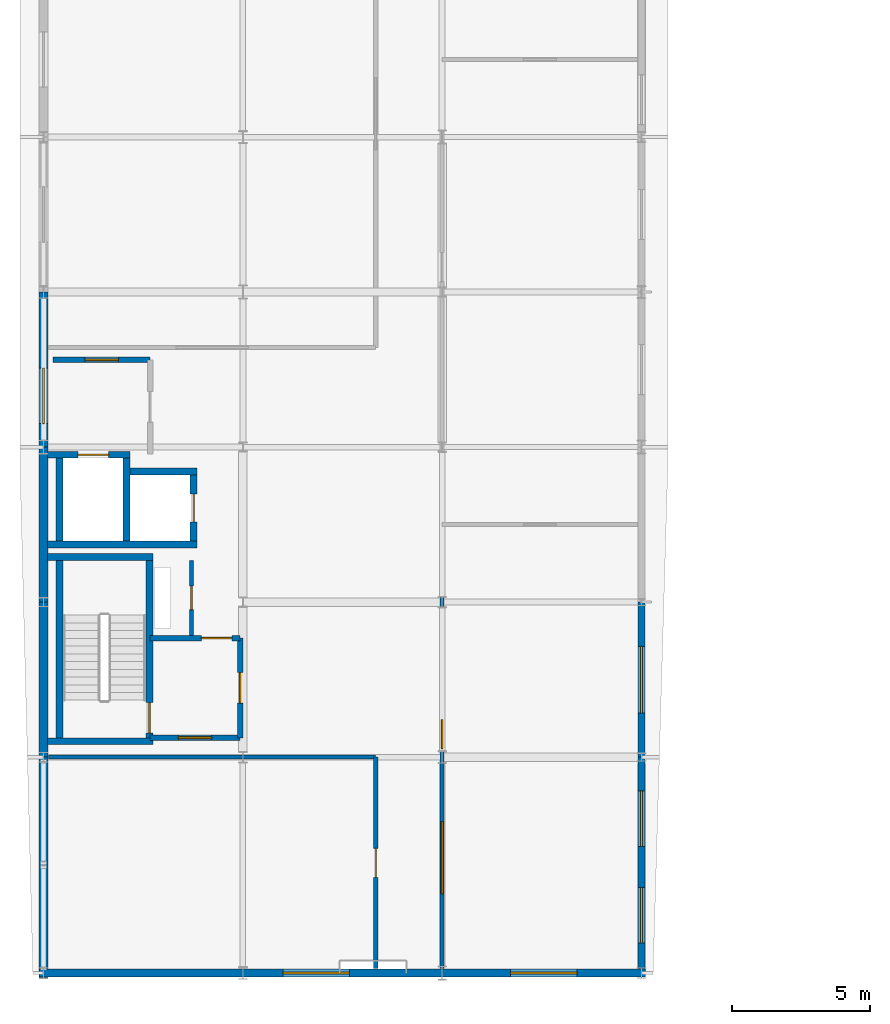
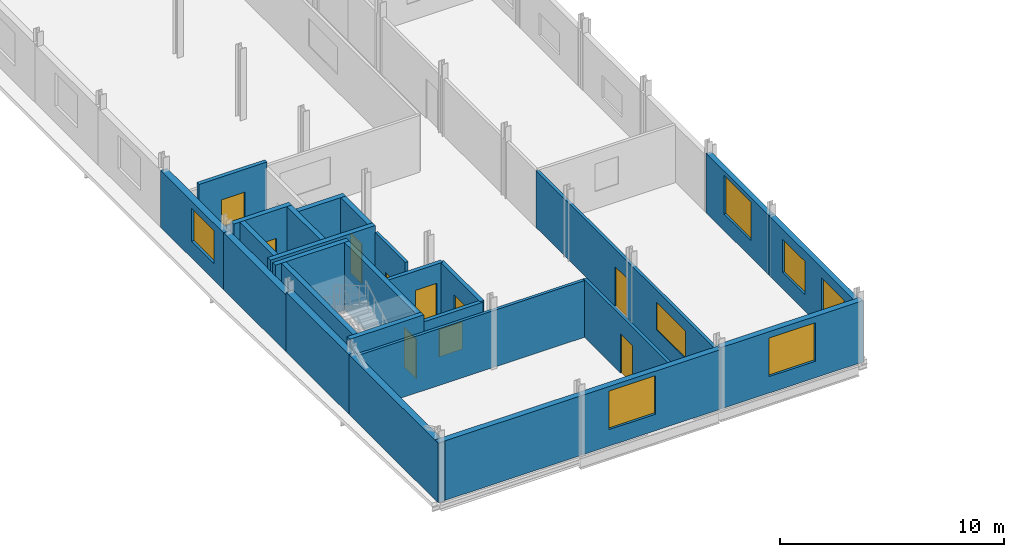
# One storey, part 19 of 30: 27 walls, 9 windows, 8 doors, 17 openings.
"""IFC4 building model written with IfcOpenShell, lengths in metres."""

from ifc_helpers import new_model, si_unit, direction, frame, frame_2d, origin, place, context, subcontext, project, spatial, rectangle, extrude, material, layer, layer_set, type_object, element, fill, save


model = new_model("IFC4")

# Units and contexts
model_context = context("Model", 3, precision=1e-05, world=origin(), true_north=direction((0.0, 1.0)))
body_context = subcontext(model_context, "Body", "Model", "MODEL_VIEW")
ifc_project = project(units=[si_unit("LENGTHUNIT", "METRE"), si_unit("AREAUNIT", "SQUARE_METRE"), si_unit("VOLUMEUNIT", "CUBIC_METRE"), si_unit("PLANEANGLEUNIT", "RADIAN"), si_unit("MASSUNIT", "GRAM", prefix="KILO")], contexts=[model_context])

# Site, building, storey
site_placement = place(None, origin())
site = spatial("IfcSite", under=ifc_project, at=site_placement, CompositionType="ELEMENT")
building_placement = place(site_placement, origin())
building = spatial("IfcBuilding", under=site, at=building_placement, Name="Vinh Khe Railworks Police Headquarters", CompositionType="ELEMENT")
storey_placement = place(building_placement, frame((0.0, 0.0, 21.0)))
storey = spatial("IfcBuildingStorey", under=building, at=storey_placement, Name="L05", CompositionType="ELEMENT", Elevation=21.0)

# Walls
ifc_material_1 = material(Name="Concrete C40/50 (B40)", Category="concrete")
ifc_layer_1 = layer(ifc_material_1, 0.25)
ifc_layer_set_1 = layer_set([ifc_layer_1], Name="Concrete C40/50 (B40)")
wall_type_1 = type_object("IfcWallType", Name="Core Shear Wall 250", PredefinedType="SHEAR", material=ifc_layer_set_1)
for number, where, z_axis, x_axis, name in (
    (1, (0.75, 25.77490234375, 0.0), (0.0, 0.0, 1.0), (1.0, 0.0, 0.0), "Core C1 STAIR-S Shear Wall (L05)"),
    (2, (0.75, 32.425048828125, 0.0), (0.0, 0.0, 1.0), (1.0, 0.0, 0.0), "Core C1 STAIR-N Shear Wall (L05)"),
):
    element("IfcWall", number, at=place(storey_placement, frame(where, z_axis=z_axis, x_axis=x_axis)), inside=storey, type_object=wall_type_1, Name=name, PredefinedType="SHEAR", context=body_context, shape_type="SweptSolid", body=[
        extrude(rectangle(XDim=3.800048828125, YDim=0.25, at=frame_2d((1.89990234375, 0.0))), origin(), (0.0, 0.0, 1.0), 3.699951171875),
    ])
wall_1_placement = place(storey_placement, frame((1.175048828125, 25.89990234375, 0.0), z_axis=(0.0, 0.0, 1.0), x_axis=(0.0, 1.0, 0.0)))
element("IfcWall", 3, at=wall_1_placement, inside=storey, type_object=wall_type_1, Name="Core C1 STAIR-W Shear Wall (L05)", PredefinedType="SHEAR", context=body_context, shape_type="SweptSolid", body=[
    extrude(rectangle(XDim=6.400146484375, YDim=0.25, at=frame_2d((3.2001953125, 0.0))), origin(), (0.0, 0.0, 1.0), 3.699951171875),
])

# Wall, opening, door
wall_2_placement = place(storey_placement, frame((4.425048828125, 25.89990234375, 0.0), z_axis=(0.0, 0.0, 1.0), x_axis=(0.0, 1.0, 0.0)))
wall_2 = element("IfcWall", 4, at=wall_2_placement, inside=storey, type_object=wall_type_1, Name="Core C1 STAIR-E Shear Wall (L05)", PredefinedType="SHEAR", context=body_context, shape_type="SweptSolid", body=[
    extrude(rectangle(XDim=6.400146484375, YDim=0.25, at=frame_2d((3.2001953125, 0.0))), origin(), (0.0, 0.0, 1.0), 3.699951171875),
])
opening_1_placement = place(wall_2_placement, frame((0.169921875, 0.0, 0.0)))
opening_1 = element("IfcOpeningElement", 5, at=opening_1_placement, cuts=wall_2, Name="Opening FD-01", PredefinedType="OPENING", context=body_context, shape_type="SweptSolid", body=[
    extrude(rectangle(XDim=1.10009765625, YDim=2.14990234375, at=frame_2d((0.550048828125, 1.074951171875))), frame((0.0, 0.139892578125, 0.0), z_axis=(0.0, -1.0, 0.0), x_axis=(1.0, 0.0, 0.0)), (0.0, 0.0, 1.0), 0.27978515625),
])
ifc_material_2 = material(Name="Painted galvanised steel", Category="steel")
door_type_1 = type_object("IfcDoorType", Name="FD-1100x2150", OperationType="NOTDEFINED", PredefinedType="DOOR", material=ifc_material_2)
door_1_placement = place(opening_1_placement, frame((1.10009765625, 0.0, 0.0), z_axis=(0.0, 0.0, 1.0), x_axis=(-1.0, 0.0, 0.0)))
door_1 = element("IfcDoor", 6, at=door_1_placement, inside=storey, type_object=door_type_1, Name="Escape Stair ST-01 Fire Door L05", OperationType="SINGLE_SWING_RIGHT", OverallHeight=2.14990234375, OverallWidth=1.10009765625, PredefinedType="DOOR", context=body_context, shape_type="SweptSolid", body=[
    extrude(rectangle(XDim=1.10009765625, YDim=2.14990234375, at=frame_2d((0.550048828125, 1.074951171875))), frame((0.0, 0.02490234375, 0.0), z_axis=(0.0, -1.0, 0.0), x_axis=(1.0, 0.0, 0.0)), (0.0, 0.0, 1.0), 0.050048828125),
])
fill(opening_1, door_1)

# Wall
wall_3_placement = place(storey_placement, frame((0.75, 32.875, 0.0), z_axis=(0.0, 0.0, 1.0), x_axis=(1.0, 0.0, 0.0)))
element("IfcWall", 7, at=wall_3_placement, inside=storey, type_object=wall_type_1, Name="Core C1 FL-S Lift Shaft Wall (L05)", PredefinedType="SHEAR", context=body_context, shape_type="SweptSolid", body=[
    extrude(rectangle(XDim=5.39990234375, YDim=0.25, at=frame_2d((2.699951171875, 0.0))), origin(), (0.0, 0.0, 1.0), 3.699951171875),
])

# Wall, opening, door
wall_4_placement = place(storey_placement, frame((0.75, 36.125, 0.0), z_axis=(0.0, 0.0, 1.0), x_axis=(1.0, 0.0, 0.0)))
wall_4 = element("IfcWall", 8, at=wall_4_placement, inside=storey, type_object=wall_type_1, Name="Core C1 FL-N Lift Shaft Wall (L05)", PredefinedType="SHEAR", context=body_context, shape_type="SweptSolid", body=[
    extrude(rectangle(XDim=2.97509765625, YDim=0.25, at=frame_2d((1.487548828125, 0.0))), origin(), (0.0, 0.0, 1.0), 3.699951171875),
])
opening_2_placement = place(wall_4_placement, frame((1.10009765625, 0.0, 0.0)))
opening_2 = element("IfcOpeningElement", 9, at=opening_2_placement, cuts=wall_4, Name="Opening LD-01", PredefinedType="OPENING", context=body_context, shape_type="SweptSolid", body=[
    extrude(rectangle(XDim=1.10009765625, YDim=2.14990234375, at=frame_2d((0.550048828125, 1.074951171875))), frame((0.0, 0.139892578125, 0.0), z_axis=(0.0, -1.0, 0.0), x_axis=(1.0, 0.0, 0.0)), (0.0, 0.0, 1.0), 0.27978515625),
])
door_type_2 = type_object("IfcDoorType", Name="LD-FF-1100", OperationType="SLIDING_TO_LEFT", PredefinedType="DOOR", material=ifc_material_2)
door_2_placement = place(opening_2_placement, origin())
door_2 = element("IfcDoor", 10, at=door_2_placement, inside=storey, type_object=door_type_2, Name="Firefighting Lift Landing Door FL-01 L05", OperationType="SLIDING_TO_LEFT", OverallHeight=2.14990234375, OverallWidth=1.10009765625, PredefinedType="DOOR", context=body_context, shape_type="SweptSolid", body=[
    extrude(rectangle(XDim=1.10009765625, YDim=2.14990234375, at=frame_2d((0.550048828125, 1.074951171875))), frame((0.0, 0.02490234375, 0.0), z_axis=(0.0, -1.0, 0.0), x_axis=(1.0, 0.0, 0.0)), (0.0, 0.0, 1.0), 0.050048828125),
])
fill(opening_2, door_2)

# Walls
wall_5_placement = place(storey_placement, frame((3.72509765625, 35.52490234375, 0.0), z_axis=(0.0, 0.0, 1.0), x_axis=(1.0, 0.0, 0.0)))
element("IfcWall", 11, at=wall_5_placement, inside=storey, type_object=wall_type_1, Name="Core C1 PL-N Lift Shaft Wall (L05)", PredefinedType="SHEAR", context=body_context, shape_type="SweptSolid", body=[
    extrude(rectangle(XDim=2.4248046875, YDim=0.25, at=frame_2d((1.21240234375, 0.0))), origin(), (0.0, 0.0, 1.0), 3.699951171875),
])
for number, where, z_axis, x_axis, name in (
    (12, (1.175048828125, 33.0, 0.0), (0.0, 0.0, 1.0), (0.0, 1.0, 0.0), "Core C1 FL-W Lift Shaft Wall (L05)"),
    (13, (3.60009765625, 33.0, 0.0), (0.0, 0.0, 1.0), (0.0, 1.0, 0.0), "Core C1 LIFT-DIV Lift Shaft Wall (L05)"),
):
    element("IfcWall", number, at=place(storey_placement, frame(where, z_axis=z_axis, x_axis=x_axis)), inside=storey, type_object=wall_type_1, Name=name, PredefinedType="SHEAR", context=body_context, shape_type="SweptSolid", body=[
        extrude(rectangle(XDim=3.0, YDim=0.25, at=frame_2d((1.5, 0.0))), origin(), (0.0, 0.0, 1.0), 3.699951171875),
    ])

# Wall, opening, door
wall_6_placement = place(storey_placement, frame((6.02490234375, 33.0, 0.0), z_axis=(0.0, 0.0, 1.0), x_axis=(0.0, 1.0, 0.0)))
wall_6 = element("IfcWall", 14, at=wall_6_placement, inside=storey, type_object=wall_type_1, Name="Core C1 PL-E Lift Shaft Wall (L05)", PredefinedType="SHEAR", context=body_context, shape_type="SweptSolid", body=[
    extrude(rectangle(XDim=2.39990234375, YDim=0.25, at=frame_2d((1.199951171875, 0.0))), origin(), (0.0, 0.0, 1.0), 3.699951171875),
])
opening_3_placement = place(wall_6_placement, frame((0.699951171875, 0.0, 0.0)))
opening_3 = element("IfcOpeningElement", 15, at=opening_3_placement, cuts=wall_6, Name="Opening LD-02", PredefinedType="OPENING", context=body_context, shape_type="SweptSolid", body=[
    extrude(rectangle(XDim=1.0, YDim=2.14990234375, at=frame_2d((0.5, 1.074951171875))), frame((0.0, 0.139892578125, 0.0), z_axis=(0.0, -1.0, 0.0), x_axis=(1.0, 0.0, 0.0)), (0.0, 0.0, 1.0), 0.27978515625),
])
door_type_3 = type_object("IfcDoorType", Name="LD-PAX-1000", OperationType="SLIDING_TO_RIGHT", PredefinedType="DOOR", material=ifc_material_2)
door_3_placement = place(opening_3_placement, frame((1.0, 0.0, 0.0), z_axis=(0.0, 0.0, 1.0), x_axis=(-1.0, 0.0, 0.0)))
door_3 = element("IfcDoor", 16, at=door_3_placement, inside=storey, type_object=door_type_3, Name="Passenger Lift Landing Door PL-01 L05", OperationType="SLIDING_TO_RIGHT", OverallHeight=2.14990234375, OverallWidth=1.0, PredefinedType="DOOR", context=body_context, shape_type="SweptSolid", body=[
    extrude(rectangle(XDim=1.0, YDim=2.14990234375, at=frame_2d((0.5, 1.074951171875))), frame((0.0, 0.02490234375, 0.0), z_axis=(0.0, -1.0, 0.0), x_axis=(1.0, 0.0, 0.0)), (0.0, 0.0, 1.0), 0.050048828125),
])
fill(opening_3, door_3)

# Wall, openings, windows
ifc_material_3 = material(Name="Clay brickwork", Category="masonry")
ifc_layer_2 = layer(ifc_material_3, 0.260009765625)
ifc_layer_set_2 = layer_set([ifc_layer_2], Name="Clay brickwork")
wall_type_2 = type_object("IfcWallType", Name="EW-BRK-260", PredefinedType="SOLIDWALL", material=ifc_layer_set_2)
wall_7_placement = place(storey_placement, frame((22.199951171875, 17.27001953125, 0.0), z_axis=(0.0, 0.0, 1.0), x_axis=(0.0, 1.0, 0.0)))
wall_7 = element("IfcWall", 17, at=wall_7_placement, inside=storey, type_object=wall_type_2, Name="Exterior Brick Wall EW-L05-V5E-01", PredefinedType="SOLIDWALL", context=body_context, shape_type="SweptSolid", body=[
    extrude(rectangle(XDim=7.929931640625, YDim=0.260009765625, at=frame_2d((3.96484375, 0.0))), origin(), (0.0, 0.0, 1.0), 3.2451171875),
])
opening_4_placement = place(wall_7_placement, frame((1.220458984375, 0.0, 0.89990234375)))
opening_4 = element("IfcOpeningElement", 18, at=opening_4_placement, cuts=wall_7, Name="Opening WN-04", PredefinedType="OPENING", context=body_context, shape_type="SweptSolid", body=[
    extrude(rectangle(XDim=2.0, YDim=1.800048828125, at=frame_2d((1.0, 0.89990234375))), frame((0.0, 0.14501953125, 0.0), z_axis=(0.0, -1.0, 0.0), x_axis=(1.0, 0.0, 0.0)), (0.0, 0.0, 1.0), 0.289794921875),
])
opening_5_placement = place(wall_7_placement, frame((4.709716796875, 0.0, 0.89990234375)))
opening_5 = element("IfcOpeningElement", 19, at=opening_5_placement, cuts=wall_7, Name="Opening WN-04", PredefinedType="OPENING", context=body_context, shape_type="SweptSolid", body=[
    extrude(rectangle(XDim=2.0, YDim=1.800048828125, at=frame_2d((1.0, 0.89990234375))), frame((0.0, 0.14501953125, 0.0), z_axis=(0.0, -1.0, 0.0), x_axis=(1.0, 0.0, 0.0)), (0.0, 0.0, 1.0), 0.289794921875),
])
ifc_material_4 = material(Name="Double-glazed solar-control glass in dark steel frame", Category="steel")
window_type_1 = type_object("IfcWindowType", Name="WIN-WN-04", PartitioningType="DOUBLE_PANEL_VERTICAL", PredefinedType="WINDOW", material=ifc_material_4)
window_1_placement = place(opening_4_placement, origin())
window_1 = element("IfcWindow", 20, at=window_1_placement, inside=storey, type_object=window_type_1, Name="Casement Window WN-04", OverallHeight=1.800048828125, OverallWidth=2.0, PartitioningType="SINGLE_PANEL", PredefinedType="WINDOW", context=body_context, shape_type="SweptSolid", body=[
    extrude(rectangle(XDim=2.0, YDim=1.800048828125, at=frame_2d((1.0, 0.89990234375))), frame((0.0, 0.030029296875, 0.0), z_axis=(0.0, -1.0, 0.0), x_axis=(1.0, 0.0, 0.0)), (0.0, 0.0, 1.0), 0.06005859375),
])
fill(opening_4, window_1)
window_2_placement = place(opening_5_placement, origin())
window_2 = element("IfcWindow", 21, at=window_2_placement, inside=storey, type_object=window_type_1, Name="Casement Window WN-04", OverallHeight=1.800048828125, OverallWidth=2.0, PartitioningType="SINGLE_PANEL", PredefinedType="WINDOW", context=body_context, shape_type="SweptSolid", body=[
    extrude(rectangle(XDim=2.0, YDim=1.800048828125, at=frame_2d((1.0, 0.89990234375))), frame((0.0, 0.030029296875, 0.0), z_axis=(0.0, -1.0, 0.0), x_axis=(1.0, 0.0, 0.0)), (0.0, 0.0, 1.0), 0.06005859375),
])
fill(opening_5, window_2)

# Wall, opening, window
wall_8_placement = place(storey_placement, frame((22.199951171875, 25.199951171875, 0.0), z_axis=(0.0, 0.0, 1.0), x_axis=(0.0, 1.0, 0.0)))
wall_8 = element("IfcWall", 22, at=wall_8_placement, inside=storey, type_object=wall_type_2, Name="Exterior Brick Wall EW-L05-V5E-02", PredefinedType="SOLIDWALL", context=body_context, shape_type="SweptSolid", body=[
    extrude(rectangle(XDim=5.60009765625, YDim=0.260009765625, at=frame_2d((2.800048828125, 0.0))), origin(), (0.0, 0.0, 1.0), 3.2451171875),
])
opening_6_placement = place(wall_8_placement, frame((1.60009765625, 0.0, 0.89990234375)))
opening_6 = element("IfcOpeningElement", 23, at=opening_6_placement, cuts=wall_8, Name="Opening WN-02", PredefinedType="OPENING", context=body_context, shape_type="SweptSolid", body=[
    extrude(rectangle(XDim=2.39990234375, YDim=2.10009765625, at=frame_2d((1.199951171875, 1.050048828125))), frame((0.0, 0.14501953125, 0.0), z_axis=(0.0, -1.0, 0.0), x_axis=(1.0, 0.0, 0.0)), (0.0, 0.0, 1.0), 0.289794921875),
])
window_type_2 = type_object("IfcWindowType", Name="WIN-WN-02", PartitioningType="DOUBLE_PANEL_VERTICAL", PredefinedType="WINDOW", material=ifc_material_4)
window_3_placement = place(opening_6_placement, origin())
window_3 = element("IfcWindow", 24, at=window_3_placement, inside=storey, type_object=window_type_2, Name="Casement Window WN-02", OverallHeight=2.10009765625, OverallWidth=2.39990234375, PartitioningType="SINGLE_PANEL", PredefinedType="WINDOW", context=body_context, shape_type="SweptSolid", body=[
    extrude(rectangle(XDim=2.39990234375, YDim=2.10009765625, at=frame_2d((1.199951171875, 1.050048828125))), frame((0.0, 0.030029296875, 0.0), z_axis=(0.0, -1.0, 0.0), x_axis=(1.0, 0.0, 0.0)), (0.0, 0.0, 1.0), 0.06005859375),
])
fill(opening_6, window_3)

# Wall
ifc_layer_3 = layer(ifc_material_3, 0.300048828125)
ifc_layer_set_3 = layer_set([ifc_layer_3], Name="Clay brickwork")
wall_type_3 = type_object("IfcWallType", Name="EW-BRK-300", PredefinedType="SOLIDWALL", material=ifc_layer_set_3)
wall_9_placement = place(storey_placement, frame((0.449951171875, 17.39990234375, 0.0), z_axis=(0.0, 0.0, 1.0), x_axis=(1.0, 0.0, 0.0)))
element("IfcWall", 25, at=wall_9_placement, inside=storey, type_object=wall_type_3, Name="Exterior Brick Wall EW-L05-V5S-01", PredefinedType="SOLIDWALL", context=body_context, shape_type="SweptSolid", body=[
    extrude(rectangle(XDim=7.35009765625, YDim=0.300048828125, at=frame_2d((3.675048828125, 0.0))), origin(), (0.0, 0.0, 1.0), 3.2451171875),
])

# Wall, opening, window
wall_10_placement = place(storey_placement, frame((7.800048828125, 17.39990234375, 0.0), z_axis=(0.0, 0.0, 1.0), x_axis=(1.0, 0.0, 0.0)))
wall_10 = element("IfcWall", 26, at=wall_10_placement, inside=storey, type_object=wall_type_3, Name="Exterior Brick Wall EW-L05-V5S-02", PredefinedType="SOLIDWALL", context=body_context, shape_type="SweptSolid", body=[
    extrude(rectangle(XDim=7.199951171875, YDim=0.300048828125, at=frame_2d((3.60009765625, 0.0))), origin(), (0.0, 0.0, 1.0), 3.2451171875),
])
opening_7_placement = place(wall_10_placement, frame((1.449951171875, 0.0, 0.89990234375)))
opening_7 = element("IfcOpeningElement", 27, at=opening_7_placement, cuts=wall_10, Name="Opening WN-02", PredefinedType="OPENING", context=body_context, shape_type="SweptSolid", body=[
    extrude(rectangle(XDim=2.39990234375, YDim=2.10009765625, at=frame_2d((1.199951171875, 1.050048828125))), frame((0.0, 0.1650390625, 0.0), z_axis=(0.0, -1.0, 0.0), x_axis=(1.0, 0.0, 0.0)), (0.0, 0.0, 1.0), 0.329833984375),
])
window_4_placement = place(opening_7_placement, origin())
window_4 = element("IfcWindow", 28, at=window_4_placement, inside=storey, type_object=window_type_2, Name="Casement Window WN-02", OverallHeight=2.10009765625, OverallWidth=2.39990234375, PartitioningType="SINGLE_PANEL", PredefinedType="WINDOW", context=body_context, shape_type="SweptSolid", body=[
    extrude(rectangle(XDim=2.39990234375, YDim=2.10009765625, at=frame_2d((1.199951171875, 1.050048828125))), frame((0.0, 0.030029296875, 0.0), z_axis=(0.0, -1.0, 0.0), x_axis=(1.0, 0.0, 0.0)), (0.0, 0.0, 1.0), 0.06005859375),
])
fill(opening_7, window_4)

wall_11_placement = place(storey_placement, frame((15.0, 17.39990234375, 0.0), z_axis=(0.0, 0.0, 1.0), x_axis=(1.0, 0.0, 0.0)))
wall_11 = element("IfcWall", 29, at=wall_11_placement, inside=storey, type_object=wall_type_3, Name="Exterior Brick Wall EW-L05-V5S-03", PredefinedType="SOLIDWALL", context=body_context, shape_type="SweptSolid", body=[
    extrude(rectangle(XDim=7.35009765625, YDim=0.300048828125, at=frame_2d((3.675048828125, 0.0))), origin(), (0.0, 0.0, 1.0), 3.344970703125),
])
opening_8_placement = place(wall_11_placement, frame((2.47509765625, 0.0, 0.89990234375)))
opening_8 = element("IfcOpeningElement", 30, at=opening_8_placement, cuts=wall_11, Name="Opening WN-02", PredefinedType="OPENING", context=body_context, shape_type="SweptSolid", body=[
    extrude(rectangle(XDim=2.39990234375, YDim=2.10009765625, at=frame_2d((1.199951171875, 1.050048828125))), frame((0.0, 0.1650390625, 0.0), z_axis=(0.0, -1.0, 0.0), x_axis=(1.0, 0.0, 0.0)), (0.0, 0.0, 1.0), 0.329833984375),
])
window_5_placement = place(opening_8_placement, origin())
window_5 = element("IfcWindow", 31, at=window_5_placement, inside=storey, type_object=window_type_2, Name="Casement Window WN-02", OverallHeight=2.10009765625, OverallWidth=2.39990234375, PartitioningType="SINGLE_PANEL", PredefinedType="WINDOW", context=body_context, shape_type="SweptSolid", body=[
    extrude(rectangle(XDim=2.39990234375, YDim=2.10009765625, at=frame_2d((1.199951171875, 1.050048828125))), frame((0.0, 0.030029296875, 0.0), z_axis=(0.0, -1.0, 0.0), x_axis=(1.0, 0.0, 0.0)), (0.0, 0.0, 1.0), 0.06005859375),
])
fill(opening_8, window_5)

# Walls
ifc_layer_4 = layer(ifc_material_3, 0.340087890625)
ifc_layer_set_4 = layer_set([ifc_layer_4], Name="Clay brickwork")
wall_type_4 = type_object("IfcWallType", Name="EW-BRK-340", PredefinedType="SOLIDWALL", material=ifc_layer_set_4)
wall_12_placement = place(storey_placement, frame((0.60009765625, 17.22998046875, 0.0), z_axis=(0.0, 0.0, 1.0), x_axis=(0.0, 1.0, 0.0)))
element("IfcWall", 32, at=wall_12_placement, inside=storey, type_object=wall_type_4, Name="Exterior Brick Wall EW-L05-V5W-01", PredefinedType="SOLIDWALL", context=body_context, shape_type="SweptSolid", body=[
    extrude(rectangle(XDim=7.969970703125, YDim=0.340087890625, at=frame_2d((3.98486328125, 0.0))), origin(), (0.0, 0.0, 1.0), 3.2451171875),
])
wall_13_placement = place(storey_placement, frame((0.60009765625, 25.199951171875, 0.0), z_axis=(0.0, 0.0, 1.0), x_axis=(0.0, 1.0, 0.0)))
element("IfcWall", 33, at=wall_13_placement, inside=storey, type_object=wall_type_4, Name="Exterior Brick Wall EW-L05-V5W-02", PredefinedType="SOLIDWALL", context=body_context, shape_type="SweptSolid", body=[
    extrude(rectangle(XDim=5.60009765625, YDim=0.340087890625, at=frame_2d((2.800048828125, 0.0))), origin(), (0.0, 0.0, 1.0), 3.2451171875),
])
wall_14_placement = place(storey_placement, frame((0.60009765625, 30.800048828125, 0.0), z_axis=(0.0, 0.0, 1.0), x_axis=(0.0, 1.0, 0.0)))
element("IfcWall", 34, at=wall_14_placement, inside=storey, type_object=wall_type_4, Name="Exterior Brick Wall EW-L05-V5W-03", PredefinedType="SOLIDWALL", context=body_context, shape_type="SweptSolid", body=[
    extrude(rectangle(XDim=5.599853515625, YDim=0.340087890625, at=frame_2d((2.7998046875, 0.0))), origin(), (0.0, 0.0, 1.0), 3.094970703125),
])

# Wall, opening, window
wall_15_placement = place(storey_placement, frame((0.60009765625, 36.39990234375, 0.0), z_axis=(0.0, 0.0, 1.0), x_axis=(0.0, 1.0, 0.0)))
wall_15 = element("IfcWall", 35, at=wall_15_placement, inside=storey, type_object=wall_type_4, Name="Exterior Brick Wall EW-L05-V5W-04", PredefinedType="SOLIDWALL", context=body_context, shape_type="SweptSolid", body=[
    extrude(rectangle(XDim=5.60009765625, YDim=0.340087890625, at=frame_2d((2.800048828125, 0.0))), origin(), (0.0, 0.0, 1.0), 3.094970703125),
])
opening_9_placement = place(wall_15_placement, frame((0.85009765625, 0.0, 0.89990234375)))
opening_9 = element("IfcOpeningElement", 36, at=opening_9_placement, cuts=wall_15, Name="Opening WN-04", PredefinedType="OPENING", context=body_context, shape_type="SweptSolid", body=[
    extrude(rectangle(XDim=2.0, YDim=1.800048828125, at=frame_2d((1.0, 0.89990234375))), frame((0.0, 0.18505859375, 0.0), z_axis=(0.0, -1.0, 0.0), x_axis=(1.0, 0.0, 0.0)), (0.0, 0.0, 1.0), 0.369873046875),
])
window_6_placement = place(opening_9_placement, origin())
window_6 = element("IfcWindow", 37, at=window_6_placement, inside=storey, type_object=window_type_1, Name="Casement Window WN-04", OverallHeight=1.800048828125, OverallWidth=2.0, PartitioningType="SINGLE_PANEL", PredefinedType="WINDOW", context=body_context, shape_type="SweptSolid", body=[
    extrude(rectangle(XDim=2.0, YDim=1.800048828125, at=frame_2d((1.0, 0.89990234375))), frame((0.0, 0.030029296875, 0.0), z_axis=(0.0, -1.0, 0.0), x_axis=(1.0, 0.0, 0.0)), (0.0, 0.0, 1.0), 0.06005859375),
])
fill(opening_9, window_6)

ifc_material_5 = material(Name="Autoclaved aerated concrete blockwork", Category="masonry")
ifc_layer_5 = layer(ifc_material_5, 0.199951171875)
ifc_layer_set_5 = layer_set([ifc_layer_5], Name="Autoclaved aerated concrete blockwork")
wall_type_5 = type_object("IfcWallType", Name="IW-BLK-200", PredefinedType="PARTITIONING", material=ifc_layer_set_5)
wall_16_placement = place(storey_placement, frame((0.949951171875, 39.550048828125, 0.0), z_axis=(0.0, 0.0, 1.0), x_axis=(1.0, 0.0, 0.0)))
wall_16 = element("IfcWall", 38, at=wall_16_placement, inside=storey, type_object=wall_type_5, Name="Interior Partition W-FFL-C1-N-L05", PredefinedType="PARTITIONING", context=body_context, shape_type="SweptSolid", body=[
    extrude(rectangle(XDim=3.5, YDim=0.199951171875, at=frame_2d((1.75, 0.0))), origin(), (0.0, 0.0, 1.0), 3.695068359375),
])
opening_10_placement = place(wall_16_placement, frame((1.14990234375, 0.0, 0.949951171875)))
opening_10 = element("IfcOpeningElement", 39, at=opening_10_placement, cuts=wall_16, Name="Opening WN-10", PredefinedType="OPENING", context=body_context, shape_type="SweptSolid", body=[
    extrude(rectangle(XDim=1.199951171875, YDim=1.5, at=frame_2d((0.60009765625, 0.75))), frame((0.0, 0.11474609375, 0.0), z_axis=(0.0, -1.0, 0.0), x_axis=(1.0, 0.0, 0.0)), (0.0, 0.0, 1.0), 0.229736328125),
])
window_type_3 = type_object("IfcWindowType", Name="WIN-WN-10", PartitioningType="SINGLE_PANEL", PredefinedType="WINDOW", material=ifc_material_4)
window_7_placement = place(opening_10_placement, origin())
window_7 = element("IfcWindow", 40, at=window_7_placement, inside=storey, type_object=window_type_3, Name="Interior Acoustic Vision Window WN-10", OverallHeight=1.5, OverallWidth=1.199951171875, PartitioningType="SINGLE_PANEL", PredefinedType="WINDOW", context=body_context, shape_type="SweptSolid", body=[
    extrude(rectangle(XDim=1.199951171875, YDim=1.5, at=frame_2d((0.60009765625, 0.75))), frame((0.0, 0.030029296875, 0.0), z_axis=(0.0, -1.0, 0.0), x_axis=(1.0, 0.0, 0.0)), (0.0, 0.0, 1.0), 0.06005859375),
])
fill(opening_10, window_7)

wall_17_placement = place(storey_placement, frame((4.449951171875, 25.89990234375, 0.0), z_axis=(0.0, 0.0, 1.0), x_axis=(1.0, 0.0, 0.0)))
wall_17 = element("IfcWall", 41, at=wall_17_placement, inside=storey, type_object=wall_type_5, Name="Interior Partition W-STL-C1-S-L05", PredefinedType="PARTITIONING", context=body_context, shape_type="SweptSolid", body=[
    extrude(rectangle(XDim=3.25, YDim=0.199951171875, at=frame_2d((1.625, 0.0))), origin(), (0.0, 0.0, 1.0), 3.195068359375),
])
opening_11_placement = place(wall_17_placement, frame((1.02490234375, 0.0, 0.949951171875)))
opening_11 = element("IfcOpeningElement", 42, at=opening_11_placement, cuts=wall_17, Name="Opening WN-10", PredefinedType="OPENING", context=body_context, shape_type="SweptSolid", body=[
    extrude(rectangle(XDim=1.199951171875, YDim=1.5, at=frame_2d((0.60009765625, 0.75))), frame((0.0, 0.11474609375, 0.0), z_axis=(0.0, -1.0, 0.0), x_axis=(1.0, 0.0, 0.0)), (0.0, 0.0, 1.0), 0.229736328125),
])
window_8_placement = place(opening_11_placement, origin())
window_8 = element("IfcWindow", 43, at=window_8_placement, inside=storey, type_object=window_type_3, Name="Interior Acoustic Vision Window WN-10", OverallHeight=1.5, OverallWidth=1.199951171875, PartitioningType="SINGLE_PANEL", PredefinedType="WINDOW", context=body_context, shape_type="SweptSolid", body=[
    extrude(rectangle(XDim=1.199951171875, YDim=1.5, at=frame_2d((0.60009765625, 0.75))), frame((0.0, 0.030029296875, 0.0), z_axis=(0.0, -1.0, 0.0), x_axis=(1.0, 0.0, 0.0)), (0.0, 0.0, 1.0), 0.06005859375),
])
fill(opening_11, window_8)

# Wall, opening, door
wall_18_placement = place(storey_placement, frame((4.449951171875, 29.5, 0.0), z_axis=(0.0, 0.0, 1.0), x_axis=(1.0, 0.0, 0.0)))
wall_18 = element("IfcWall", 44, at=wall_18_placement, inside=storey, type_object=wall_type_5, Name="Interior Partition W-STL-C1-N-L05", PredefinedType="PARTITIONING", context=body_context, shape_type="SweptSolid", body=[
    extrude(rectangle(XDim=3.25, YDim=0.199951171875, at=frame_2d((1.625, 0.0))), origin(), (0.0, 0.0, 1.0), 3.195068359375),
])
opening_12_placement = place(wall_18_placement, frame((1.85009765625, 0.0, 0.0)))
opening_12 = element("IfcOpeningElement", 45, at=opening_12_placement, cuts=wall_18, Name="Opening FD-01", PredefinedType="OPENING", context=body_context, shape_type="SweptSolid", body=[
    extrude(rectangle(XDim=1.10009765625, YDim=2.14990234375, at=frame_2d((0.550048828125, 1.074951171875))), frame((0.0, 0.11474609375, 0.0), z_axis=(0.0, -1.0, 0.0), x_axis=(1.0, 0.0, 0.0)), (0.0, 0.0, 1.0), 0.229736328125),
])
door_4_placement = place(opening_12_placement, origin())
door_4 = element("IfcDoor", 46, at=door_4_placement, inside=storey, type_object=door_type_1, Name="Lift Lobby Stair Fire Door", OperationType="SINGLE_SWING_LEFT", OverallHeight=2.14990234375, OverallWidth=1.10009765625, PredefinedType="DOOR", context=body_context, shape_type="SweptSolid", body=[
    extrude(rectangle(XDim=1.10009765625, YDim=2.14990234375, at=frame_2d((0.550048828125, 1.074951171875))), frame((0.0, 0.02490234375, 0.0), z_axis=(0.0, -1.0, 0.0), x_axis=(1.0, 0.0, 0.0)), (0.0, 0.0, 1.0), 0.050048828125),
])
fill(opening_12, door_4)

wall_19_placement = place(storey_placement, frame((7.699951171875, 25.89990234375, 0.0), z_axis=(0.0, 0.0, 1.0), x_axis=(0.0, 1.0, 0.0)))
wall_19 = element("IfcWall", 47, at=wall_19_placement, inside=storey, type_object=wall_type_5, Name="Interior Partition W-STL-C1-E-L05", PredefinedType="PARTITIONING", context=body_context, shape_type="SweptSolid", body=[
    extrude(rectangle(XDim=3.60009765625, YDim=0.199951171875, at=frame_2d((1.800048828125, 0.0))), origin(), (0.0, 0.0, 1.0), 3.195068359375),
])
opening_13_placement = place(wall_19_placement, frame((1.25, 0.0, 0.0)))
opening_13 = element("IfcOpeningElement", 48, at=opening_13_placement, cuts=wall_19, Name="Opening FD-01", PredefinedType="OPENING", context=body_context, shape_type="SweptSolid", body=[
    extrude(rectangle(XDim=1.10009765625, YDim=2.14990234375, at=frame_2d((0.550048828125, 1.074951171875))), frame((0.0, 0.11474609375, 0.0), z_axis=(0.0, -1.0, 0.0), x_axis=(1.0, 0.0, 0.0)), (0.0, 0.0, 1.0), 0.229736328125),
])
door_5_placement = place(opening_13_placement, origin())
door_5 = element("IfcDoor", 49, at=door_5_placement, inside=storey, type_object=door_type_1, Name="Stair Vestibule Fire Door", OperationType="SINGLE_SWING_RIGHT", OverallHeight=2.14990234375, OverallWidth=1.10009765625, PredefinedType="DOOR", context=body_context, shape_type="SweptSolid", body=[
    extrude(rectangle(XDim=1.10009765625, YDim=2.14990234375, at=frame_2d((0.550048828125, 1.074951171875))), frame((0.0, 0.02490234375, 0.0), z_axis=(0.0, -1.0, 0.0), x_axis=(1.0, 0.0, 0.0)), (0.0, 0.0, 1.0), 0.050048828125),
])
fill(opening_13, door_5)

# Wall
ifc_material_6 = material(Name="Gypsum plasterboard on steel stud", Category="steel")
ifc_layer_6 = layer(ifc_material_6, 0.1201171875)
ifc_layer_set_6 = layer_set([ifc_layer_6], Name="Gypsum plasterboard on steel stud")
wall_type_6 = type_object("IfcWallType", Name="IW-PART-120", PredefinedType="PARTITIONING", material=ifc_layer_set_6)
wall_20_placement = place(storey_placement, frame((0.780029296875, 25.199951171875, 0.0), z_axis=(0.0, 0.0, 1.0), x_axis=(1.0, 0.0, 0.0)))
element("IfcWall", 50, at=wall_20_placement, inside=storey, type_object=wall_type_6, Name="Interior Partition W-L05-V5-CYB0-ENDN", PredefinedType="PARTITIONING", context=body_context, shape_type="SweptSolid", body=[
    extrude(rectangle(XDim=11.820068359375, YDim=0.14990234375, at=frame_2d((5.91015625, 0.0))), origin(), (0.0, 0.0, 1.0), 3.094970703125),
])

# Wall, opening, door
ifc_material_7 = material(Name="Gypsum plasterboard on acoustic steel stud", Category="steel")
ifc_layer_7 = layer(ifc_material_7, 0.14990234375)
ifc_layer_set_7 = layer_set([ifc_layer_7], Name="Gypsum plasterboard on acoustic steel stud")
wall_type_7 = type_object("IfcWallType", Name="IW-PART-150", PredefinedType="PARTITIONING", material=ifc_layer_set_7)
wall_21_placement = place(storey_placement, frame((5.949951171875, 29.60009765625, 0.0), z_axis=(0.0, 0.0, 1.0), x_axis=(0.0, 1.0, 0.0)))
wall_21 = element("IfcWall", 51, at=wall_21_placement, inside=storey, type_object=wall_type_7, Name="Interior Partition W-RSR-C1-E-L05", PredefinedType="PARTITIONING", context=body_context, shape_type="SweptSolid", body=[
    extrude(rectangle(XDim=2.699951171875, YDim=0.14990234375, at=frame_2d((1.35009765625, 0.0))), origin(), (0.0, 0.0, 1.0), 3.695068359375),
])
opening_14_placement = place(wall_21_placement, frame((0.925048828125, 0.0, 0.0)))
opening_14 = element("IfcOpeningElement", 52, at=opening_14_placement, cuts=wall_21, Name="Opening FD-04", PredefinedType="OPENING", context=body_context, shape_type="SweptSolid", body=[
    extrude(rectangle(XDim=0.85009765625, YDim=2.10009765625, at=frame_2d((0.425048828125, 1.050048828125))), frame((0.0, 0.08984375, 0.0), z_axis=(0.0, -1.0, 0.0), x_axis=(1.0, 0.0, 0.0)), (0.0, 0.0, 1.0), 0.1796875),
])
door_type_4 = type_object("IfcDoorType", Name="FD-850x2100", OperationType="NOTDEFINED", PredefinedType="DOOR", material=ifc_material_2)
door_6_placement = place(opening_14_placement, origin())
door_6 = element("IfcDoor", 53, at=door_6_placement, inside=storey, type_object=door_type_4, Name="Electrical Riser Access Door", OperationType="SINGLE_SWING_LEFT", OverallHeight=2.10009765625, OverallWidth=0.85009765625, PredefinedType="DOOR", context=body_context, shape_type="SweptSolid", body=[
    extrude(rectangle(XDim=0.85009765625, YDim=2.10009765625, at=frame_2d((0.425048828125, 1.050048828125))), frame((0.0, 0.02490234375, 0.0), z_axis=(0.0, -1.0, 0.0), x_axis=(1.0, 0.0, 0.0)), (0.0, 0.0, 1.0), 0.050048828125),
])
fill(opening_14, door_6)

wall_22_placement = place(storey_placement, frame((12.60009765625, 17.56005859375, 0.0), z_axis=(0.0, 0.0, 1.0), x_axis=(0.0, 1.0, 0.0)))
wall_22 = element("IfcWall", 54, at=wall_22_placement, inside=storey, type_object=wall_type_7, Name="Interior Partition W-L05-V5-CYB0-CW", PredefinedType="PARTITIONING", context=body_context, shape_type="SweptSolid", body=[
    extrude(rectangle(XDim=7.639892578125, YDim=0.14990234375, at=frame_2d((3.81982421875, 0.0))), origin(), (0.0, 0.0, 1.0), 3.14501953125),
])
opening_15_placement = place(wall_22_placement, frame((3.294921875, 0.0, 0.0)))
opening_15 = element("IfcOpeningElement", 55, at=opening_15_placement, cuts=wall_22, Name="Opening D-02", PredefinedType="OPENING", context=body_context, shape_type="SweptSolid", body=[
    extrude(rectangle(XDim=1.050048828125, YDim=2.14990234375, at=frame_2d((0.52490234375, 1.074951171875))), frame((0.0, 0.08984375, 0.0), z_axis=(0.0, -1.0, 0.0), x_axis=(1.0, 0.0, 0.0)), (0.0, 0.0, 1.0), 0.1796875),
])
ifc_material_8 = material(Name="Seasoned hardwood timber", Category="wood")
door_type_5 = type_object("IfcDoorType", Name="ID-1050x2150", OperationType="NOTDEFINED", PredefinedType="DOOR", material=ifc_material_8)
door_7_placement = place(opening_15_placement, origin())
door_7 = element("IfcDoor", 56, at=door_7_placement, inside=storey, type_object=door_type_5, Name="Network Intrusion Response Room Door", OperationType="SINGLE_SWING_RIGHT", OverallHeight=2.14990234375, OverallWidth=1.050048828125, PredefinedType="DOOR", context=body_context, shape_type="SweptSolid", body=[
    extrude(rectangle(XDim=1.050048828125, YDim=2.14990234375, at=frame_2d((0.52490234375, 1.074951171875))), frame((0.0, 0.02490234375, 0.0), z_axis=(0.0, -1.0, 0.0), x_axis=(1.0, 0.0, 0.0)), (0.0, 0.0, 1.0), 0.050048828125),
])
fill(opening_15, door_7)

# Wall, openings, door, window
wall_23_placement = place(storey_placement, frame((15.0, 17.56005859375, 0.0), z_axis=(0.0, 0.0, 1.0), x_axis=(0.0, 1.0, 0.0)))
wall_23 = element("IfcWall", 57, at=wall_23_placement, inside=storey, type_object=wall_type_7, Name="Interior Partition W-L05-V5-THRT1-CE", PredefinedType="PARTITIONING", context=body_context, shape_type="SweptSolid", body=[
    extrude(rectangle(XDim=16.0400390625, YDim=0.14990234375, at=frame_2d((8.02001953125, 0.0))), origin(), (0.0, 0.0, 1.0), 3.094970703125),
])
opening_16_placement = place(wall_23_placement, frame((7.945068359375, 0.0, 0.0)))
opening_16 = element("IfcOpeningElement", 58, at=opening_16_placement, cuts=wall_23, Name="Opening D-02", PredefinedType="OPENING", context=body_context, shape_type="SweptSolid", body=[
    extrude(rectangle(XDim=1.050048828125, YDim=2.14990234375, at=frame_2d((0.52490234375, 1.074951171875))), frame((0.0, 0.08984375, 0.0), z_axis=(0.0, -1.0, 0.0), x_axis=(1.0, 0.0, 0.0)), (0.0, 0.0, 1.0), 0.1796875),
])
opening_17_placement = place(wall_23_placement, frame((2.7099609375, 0.0, 0.949951171875)))
opening_17 = element("IfcOpeningElement", 59, at=opening_17_placement, cuts=wall_23, Name="Opening WN-07", PredefinedType="OPENING", context=body_context, shape_type="SweptSolid", body=[
    extrude(rectangle(XDim=2.60009765625, YDim=1.5, at=frame_2d((1.300048828125, 0.75))), frame((0.0, 0.08984375, 0.0), z_axis=(0.0, -1.0, 0.0), x_axis=(1.0, 0.0, 0.0)), (0.0, 0.0, 1.0), 0.1796875),
])
door_8_placement = place(opening_16_placement, origin())
door_8 = element("IfcDoor", 60, at=door_8_placement, inside=storey, type_object=door_type_5, Name="Digital Threat Intelligence Suite Door", OperationType="SINGLE_SWING_LEFT", OverallHeight=2.14990234375, OverallWidth=1.050048828125, PredefinedType="DOOR", context=body_context, shape_type="SweptSolid", body=[
    extrude(rectangle(XDim=1.050048828125, YDim=2.14990234375, at=frame_2d((0.52490234375, 1.074951171875))), frame((0.0, 0.02490234375, 0.0), z_axis=(0.0, -1.0, 0.0), x_axis=(1.0, 0.0, 0.0)), (0.0, 0.0, 1.0), 0.050048828125),
])
fill(opening_16, door_8)
window_type_4 = type_object("IfcWindowType", Name="WIN-WN-07", PartitioningType="DOUBLE_PANEL_HORIZONTAL", PredefinedType="WINDOW", material=ifc_material_4)
window_9_placement = place(opening_17_placement, origin())
window_9 = element("IfcWindow", 61, at=window_9_placement, inside=storey, type_object=window_type_4, Name="Interior Acoustic Vision Window WN-07", OverallHeight=1.5, OverallWidth=2.60009765625, PartitioningType="SINGLE_PANEL", PredefinedType="WINDOW", context=body_context, shape_type="SweptSolid", body=[
    extrude(rectangle(XDim=2.60009765625, YDim=1.5, at=frame_2d((1.300048828125, 0.75))), frame((0.0, 0.030029296875, 0.0), z_axis=(0.0, -1.0, 0.0), x_axis=(1.0, 0.0, 0.0)), (0.0, 0.0, 1.0), 0.06005859375),
])
fill(opening_17, window_9)

save(model, "model.ifc")
